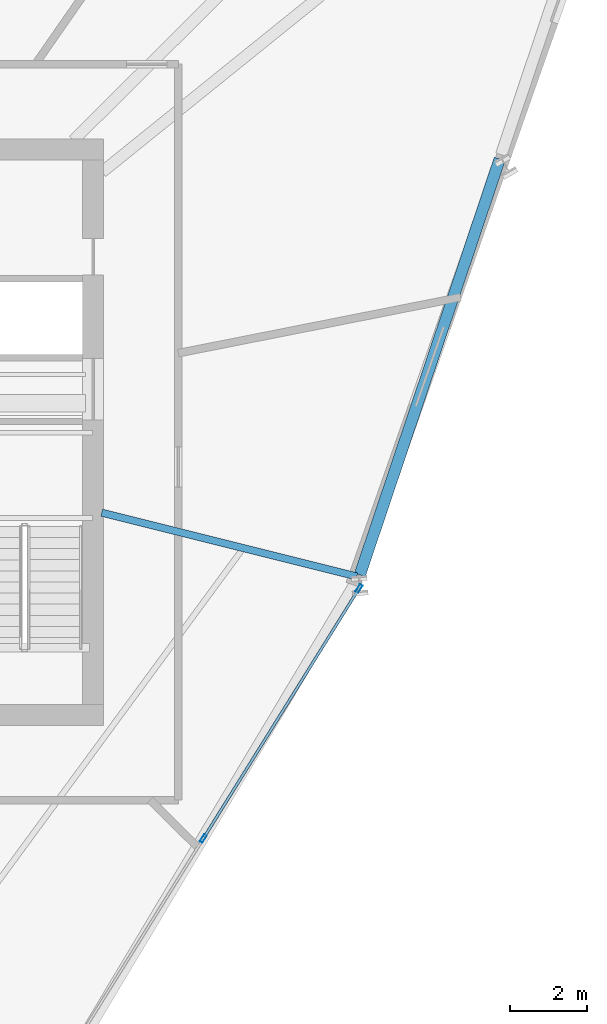
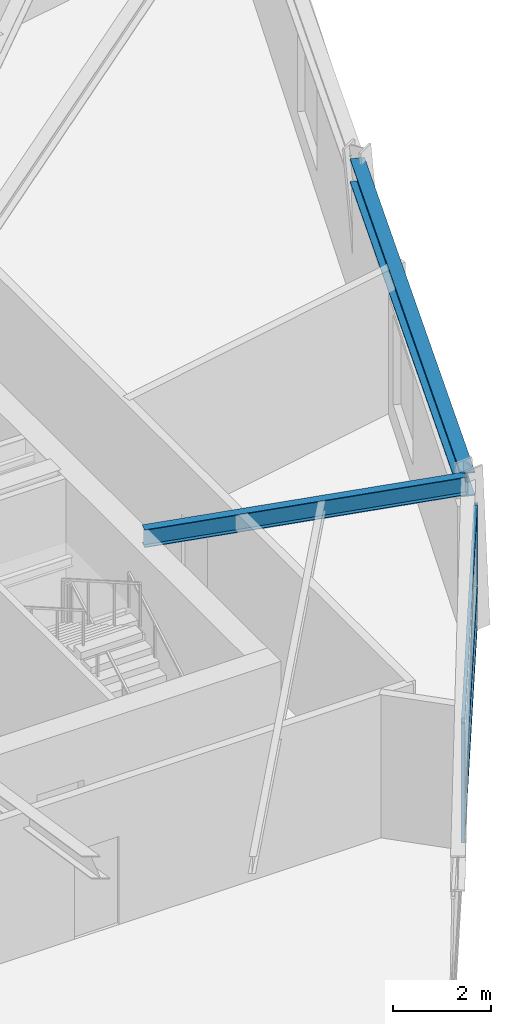
# One storey, part 5 of 13: 5 members, 2 beams, 1 element without a shape of its own.
"""IFC4 building model written with IfcOpenShell, lengths in metres."""

from ifc_helpers import new_model, si_unit, direction, frame, origin, origin_2d, place, context, subcontext, project, spatial, hollow_rectangle, i_section, extrude, source, transform, mapped, material, material_profile, profile_set, type_object, element, aggregate, save


model = new_model("IFC4")

# Units and contexts
model_context = context("Model", 3, precision=1e-05, world=origin(), true_north=direction((0.0, 1.0)))
body_context = subcontext(model_context, "Body", "Model", "MODEL_VIEW")
ifc_project = project(units=[si_unit("LENGTHUNIT", "METRE"), si_unit("AREAUNIT", "SQUARE_METRE"), si_unit("VOLUMEUNIT", "CUBIC_METRE"), si_unit("PLANEANGLEUNIT", "RADIAN"), si_unit("MASSUNIT", "GRAM", prefix="KILO")], contexts=[model_context])

# Site, building, storey
site_placement = place(None, origin())
site = spatial("IfcSite", under=ifc_project, at=site_placement, CompositionType="ELEMENT")
building_placement = place(site_placement, origin())
building = spatial("IfcBuilding", under=site, at=building_placement, Name="Olszyna Solenne Hotel", CompositionType="ELEMENT")
storey_placement = place(building_placement, frame((0.0, 0.0, 200.300048828125)))
storey = spatial("IfcBuildingStorey", under=building, at=storey_placement, Name="L53", CompositionType="ELEMENT", Elevation=200.300048828125)

# Beams
ifc_material_1 = material(Name="Steel S355J2", Category="steel")
ifc_material_profile_1 = material_profile(ifc_material_1, i_section(OverallWidth=0.300048828125, OverallDepth=0.60009765625, WebThickness=0.015380859375, FlangeThickness=0.030029296875, at=origin_2d()), Name="HEB 600", Category="load-bearing")
ifc_profile_set_1 = profile_set([ifc_material_profile_1], Name="Steel S355J2")
beam_type_1 = type_object("IfcBeamType", Name="BM-S2", PredefinedType="BEAM", material=ifc_profile_set_1)
shared_shape_1 = source(origin(), body_context, "Body", "SweptSolid", [
    extrude(i_section(OverallWidth=0.300048828125, OverallDepth=0.60009765625, WebThickness=0.015380859375, FlangeThickness=0.030029296875, at=origin_2d()), origin(), (0.0, 0.0, 1.0), 11.446044921875),
])
beam_1_placement = place(storey_placement, frame((53.134521484375, 22.876220703125, 3.280029296875), z_axis=(0.318875653923, 0.947796559044, 0.0), x_axis=(-0.947796559044, 0.318875653923, 0.0)))
element("IfcBeam", 1, at=beam_1_placement, inside=storey, type_object=beam_type_1, Name="Perimeter spandrel beam BM-S2 B-L53-1574", PredefinedType="BEAM", context=body_context, shape_type="MappedRepresentation", body=[
    mapped(shared_shape_1, transform((0.0, 0.0, 0.0), x_axis=(1.0, 0.0, 0.0), y_axis=(0.0, 1.0, 0.0), z_axis=(0.0, 0.0, 1.0), scale=1.0)),
])
ifc_material_profile_2 = material_profile(ifc_material_1, i_section(OverallWidth=0.18994140625, OverallDepth=0.449951171875, WebThickness=0.009521484375, FlangeThickness=0.0146484375, at=origin_2d()), Name="IPE 450", Category="load-bearing")
ifc_profile_set_2 = profile_set([ifc_material_profile_2], Name="Steel S355J2")
beam_type_2 = type_object("IfcBeamType", Name="BM-F4", PredefinedType="BEAM", material=ifc_profile_set_2)
shared_shape_2 = source(origin(), body_context, "Body", "SweptSolid", [
    extrude(i_section(OverallWidth=0.18994140625, OverallDepth=0.449951171875, WebThickness=0.009521484375, FlangeThickness=0.0146484375, at=origin_2d()), origin(), (0.0, 0.0, 1.0), 6.860595703125),
])
beam_2_placement = place(storey_placement, frame((53.05712890625, 22.833740234375, 3.35498046875), z_axis=(-0.970111092566, 0.242661220799, 0.0), x_axis=(-0.242661220799, -0.970111092566, 0.0)))
element("IfcBeam", 2, at=beam_2_placement, inside=storey, type_object=beam_type_2, Name="Radial floor girder BM-F4 B-L53-1584", PredefinedType="BEAM", context=body_context, shape_type="MappedRepresentation", body=[
    mapped(shared_shape_2, transform((0.0, 0.0, 0.0), x_axis=(1.0, 0.0, 0.0), y_axis=(0.0, 1.0, 0.0), z_axis=(0.0, 0.0, 1.0), scale=1.0)),
])

# Curtain wall, members
ifc_material_2 = material(Name="Anodised bronze aluminium", Category="aluminium")
curtain_wall_type = type_object("IfcCurtainWallType", Name="CW-SYS-6", PredefinedType="NOTDEFINED", material=ifc_material_2)
curtain_wall_placement = place(storey_placement, origin())
curtain_wall = element("IfcCurtainWall", 3, at=curtain_wall_placement, inside=storey, type_object=curtain_wall_type, Name="Unitised curtain wall CW-SYS-6 CW-L53-01", PredefinedType="NOTDEFINED")
ifc_material_profile_3 = material_profile(ifc_material_2, hollow_rectangle(XDim=0.080078125, YDim=0.219970703125, WallThickness=0.0048828125, at=origin_2d()), Name="MULL 220x80x5", Category="load-bearing")
ifc_profile_set_3 = profile_set([ifc_material_profile_3], Name="Anodised bronze aluminium")
member_type_1 = type_object("IfcMemberType", Name="CW-M1", PredefinedType="MULLION", material=ifc_profile_set_3)
shared_shape_3 = source(origin(), body_context, "Body", "SweptSolid", [
    extrude(hollow_rectangle(XDim=0.080078125, YDim=0.219970703125, WallThickness=0.0048828125, at=origin_2d()), origin(), (0.0, 0.0, 1.0), 2.971923828125),
])
member_1_placement = place(storey_placement, frame((49.051513671875, 15.999267578125, 0.0), z_axis=(0.0, 0.0, 1.0), x_axis=(-0.848758284763, 0.528781026556, 0.0)))
member_1 = element("IfcMember", 4, at=member_1_placement, type_object=member_type_1, Name="Curtain-wall mullion CW-M1 CM-L53-01-03", PredefinedType="MULLION", context=body_context, shape_type="MappedRepresentation", body=[
    mapped(shared_shape_3, transform((0.0, 0.0, 0.0), x_axis=(1.0, 0.0, 0.0), y_axis=(0.0, 1.0, 0.0), z_axis=(0.0, 0.0, 1.0), scale=1.0)),
])
member_2_placement = place(storey_placement, frame((53.113037109375, 22.5185546875, 0.0), z_axis=(0.0, 0.0, 1.0), x_axis=(-0.848758284763, 0.528781026556, 0.0)))
member_2 = element("IfcMember", 5, at=member_2_placement, type_object=member_type_1, Name="Curtain-wall mullion CW-M1 CM-L53-01-04", PredefinedType="MULLION", context=body_context, shape_type="MappedRepresentation", body=[
    mapped(shared_shape_3, transform((0.0, 0.0, 0.0), x_axis=(1.0, 0.0, 0.0), y_axis=(0.0, 1.0, 0.0), z_axis=(0.0, 0.0, 1.0), scale=1.0)),
])
ifc_material_profile_4 = material_profile(ifc_material_2, hollow_rectangle(XDim=0.074951171875, YDim=0.159912109375, WallThickness=0.00390625, at=origin_2d()), Name="TRAN 160x75x4", Category="load-bearing")
ifc_profile_set_4 = profile_set([ifc_material_profile_4], Name="Anodised bronze aluminium")
member_type_2 = type_object("IfcMemberType", Name="CW-T1", PredefinedType="USERDEFINED", material=ifc_profile_set_4)
shared_shape_4 = source(origin(), body_context, "Body", "SweptSolid", [
    extrude(hollow_rectangle(XDim=0.074951171875, YDim=0.159912109375, WallThickness=0.00390625, at=origin_2d()), origin(), (0.0, 0.0, 1.0), 7.60107421875),
])
member_3_placement = place(storey_placement, frame((49.07275390625, 16.033203125, 0.037353515625), z_axis=(0.528782908027, 0.848757112593, 0.0), x_axis=(-0.848757112593, 0.528782908027, 0.0)))
member_3 = element("IfcMember", 6, at=member_3_placement, type_object=member_type_2, Name="Curtain-wall transom CW-T1 CT-L53-01-07", ObjectType="TRANSOM", PredefinedType="USERDEFINED", context=body_context, shape_type="MappedRepresentation", body=[
    mapped(shared_shape_4, transform((0.0, 0.0, 0.0), x_axis=(1.0, 0.0, 0.0), y_axis=(0.0, 1.0, 0.0), z_axis=(0.0, 0.0, 1.0), scale=1.0)),
])
member_4_placement = place(storey_placement, frame((49.07275390625, 16.033203125, 0.949951171875), z_axis=(0.528782908027, 0.848757112593, 0.0), x_axis=(-0.848757112593, 0.528782908027, 0.0)))
member_4 = element("IfcMember", 7, at=member_4_placement, type_object=member_type_2, Name="Curtain-wall transom CW-T1 CT-L53-01-08", ObjectType="TRANSOM", PredefinedType="USERDEFINED", context=body_context, shape_type="MappedRepresentation", body=[
    mapped(shared_shape_4, transform((0.0, 0.0, 0.0), x_axis=(1.0, 0.0, 0.0), y_axis=(0.0, 1.0, 0.0), z_axis=(0.0, 0.0, 1.0), scale=1.0)),
])
member_5_placement = place(storey_placement, frame((49.07275390625, 16.033203125, 2.9345703125), z_axis=(0.528782908027, 0.848757112593, 0.0), x_axis=(-0.848757112593, 0.528782908027, 0.0)))
member_5 = element("IfcMember", 8, at=member_5_placement, type_object=member_type_2, Name="Curtain-wall transom CW-T1 CT-L53-01-09", ObjectType="TRANSOM", PredefinedType="USERDEFINED", context=body_context, shape_type="MappedRepresentation", body=[
    mapped(shared_shape_4, transform((0.0, 0.0, 0.0), x_axis=(1.0, 0.0, 0.0), y_axis=(0.0, 1.0, 0.0), z_axis=(0.0, 0.0, 1.0), scale=1.0)),
])
aggregate(curtain_wall, [member_1, member_2, member_3, member_4, member_5])

save(model, "model.ifc")
